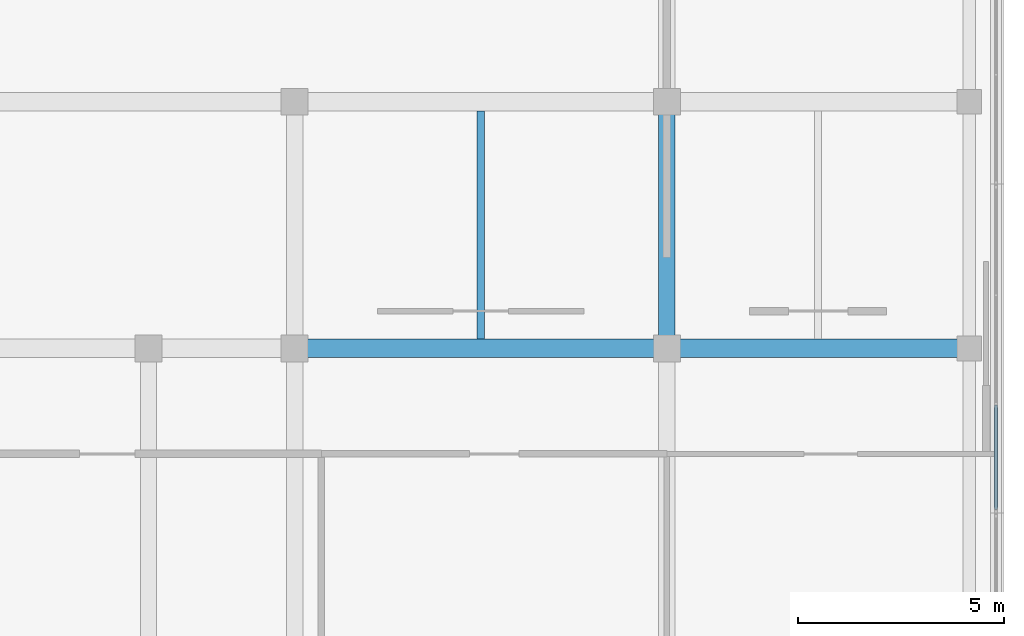
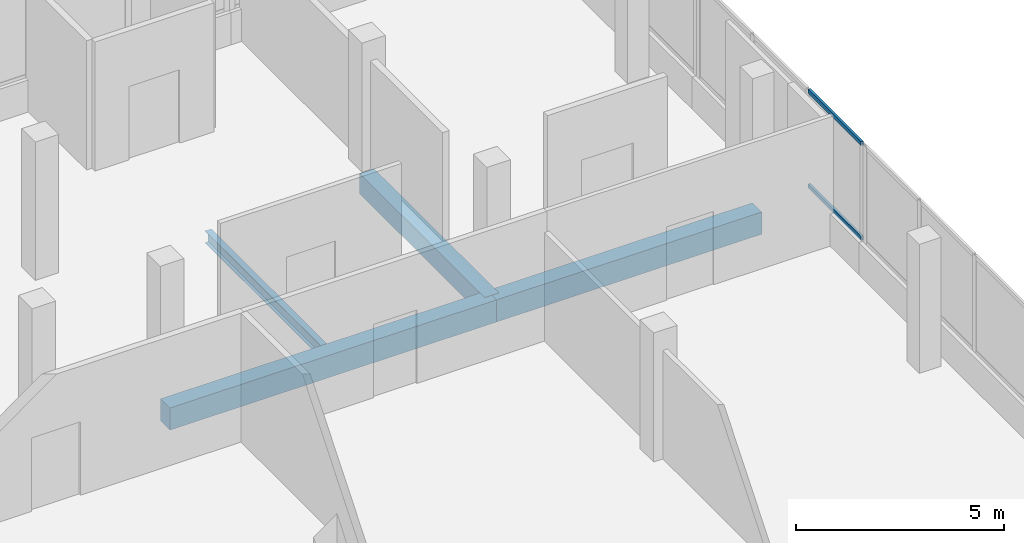
# One storey, part 55 of 76: 4 beams, 2 members, 1 element without a shape of its own.
"""IFC4 building model written with IfcOpenShell, lengths in metres."""

from ifc_helpers import new_model, si_unit, direction, frame, origin, origin_2d, place, context, subcontext, project, spatial, rectangle, hollow_rectangle, i_section, extrude, material, material_profile, profile_set, type_object, element, aggregate, save


model = new_model("IFC4")

# Units and contexts
model_context = context("Model", 3, precision=1e-05, world=origin(), true_north=direction((0.0, 1.0)))
body_context = subcontext(model_context, "Body", "Model", "MODEL_VIEW")
ifc_project = project(units=[si_unit("LENGTHUNIT", "METRE"), si_unit("AREAUNIT", "SQUARE_METRE"), si_unit("VOLUMEUNIT", "CUBIC_METRE"), si_unit("PLANEANGLEUNIT", "RADIAN"), si_unit("MASSUNIT", "GRAM", prefix="KILO")], contexts=[model_context])

# Site, building, storey
site_placement = place(None, origin())
site = spatial("IfcSite", under=ifc_project, at=site_placement, CompositionType="ELEMENT")
building_placement = place(site_placement, origin())
building = spatial("IfcBuilding", under=site, at=building_placement, Name="Selatvlak General Hospital", CompositionType="ELEMENT")
storey_placement = place(building_placement, frame((0.0, 0.0, 27.300048828125)))
storey = spatial("IfcBuildingStorey", under=building, at=storey_placement, Name="L06", CompositionType="ELEMENT", Elevation=27.300048828125)

# Beams
ifc_material_1 = material(Name="Concrete C40/50", Category="concrete")
ifc_material_profile_1 = material_profile(ifc_material_1, rectangle(XDim=0.449951171875, YDim=0.64990234375, at=origin_2d()), Name="RC-BM 450x650")
ifc_profile_set_1 = profile_set([ifc_material_profile_1], Name="Concrete C40/50")
beam_type_1 = type_object("IfcBeamType", Name="BM-G04", PredefinedType="BEAM", material=ifc_profile_set_1)
beam_1_placement = place(storey_placement, frame((164.949951171875, 108.0, -0.60009765625), z_axis=(1.0, 0.0, 0.0), x_axis=(0.0, 1.0, 0.0)))
element("IfcBeam", 1, at=beam_1_placement, inside=storey, type_object=beam_type_1, Name="Beam BMR-L06-2216", PredefinedType="BEAM", context=body_context, shape_type="SweptSolid", body=[
    extrude(rectangle(XDim=0.449951171875, YDim=0.64990234375, at=origin_2d()), origin(), (0.0, 0.0, 1.0), 9.050048828125),
])
beam_2_placement = place(storey_placement, frame((174.0, 108.0, -0.60009765625), z_axis=(1.0, 0.0, 0.0), x_axis=(0.0, 1.0, 0.0)))
element("IfcBeam", 2, at=beam_2_placement, inside=storey, type_object=beam_type_1, Name="Beam BMR-L06-2217", PredefinedType="BEAM", context=body_context, shape_type="SweptSolid", body=[
    extrude(rectangle(XDim=0.449951171875, YDim=0.64990234375, at=origin_2d()), origin(), (0.0, 0.0, 1.0), 7.35009765625),
])
ifc_material_profile_2 = material_profile(ifc_material_1, rectangle(XDim=0.39990234375, YDim=0.60009765625, at=origin_2d()), Name="RC-BM 400x600")
ifc_profile_set_2 = profile_set([ifc_material_profile_2], Name="Concrete C40/50")
beam_type_2 = type_object("IfcBeamType", Name="BM-G05", PredefinedType="BEAM", material=ifc_profile_set_2)
beam_3_placement = place(storey_placement, frame((174.0, 108.0, -0.574951171875), z_axis=(0.0, 1.0, 0.0), x_axis=(-1.0, 0.0, 0.0)))
element("IfcBeam", 3, at=beam_3_placement, inside=storey, type_object=beam_type_2, Name="Beam BMR-L06-2342", PredefinedType="BEAM", context=body_context, shape_type="SweptSolid", body=[
    extrude(rectangle(XDim=0.39990234375, YDim=0.60009765625, at=origin_2d()), origin(), (0.0, 0.0, 1.0), 6.0),
])
ifc_material_2 = material(Name="Steel S355", Category="steel")
ifc_material_profile_3 = material_profile(ifc_material_2, i_section(OverallWidth=0.17138671875, OverallDepth=0.35498046875, WebThickness=0.00732421875, FlangeThickness=0.011474609375, at=origin_2d()), Name="UB 356x171x51")
ifc_profile_set_3 = profile_set([ifc_material_profile_3], Name="Steel S355")
beam_type_3 = type_object("IfcBeamType", Name="BM-J05", PredefinedType="JOIST", material=ifc_profile_set_3)
beam_4_placement = place(storey_placement, frame((169.47509765625, 108.22509765625, -0.4521484375), z_axis=(0.0, 1.0, 0.0), x_axis=(-1.0, 0.0, 0.0)))
element("IfcBeam", 4, at=beam_4_placement, inside=storey, type_object=beam_type_3, Name="Beam BMR-L06-2362", PredefinedType="JOIST", context=body_context, shape_type="SweptSolid", body=[
    extrude(i_section(OverallWidth=0.17138671875, OverallDepth=0.35498046875, WebThickness=0.00732421875, FlangeThickness=0.011474609375, at=origin_2d()), origin(), (0.0, 0.0, 1.0), 5.5498046875),
])

# Curtain wall, members
ifc_material_3 = material(Name="Solar-control Low-E double glazing", Category="glass")
curtain_wall_type = type_object("IfcCurtainWallType", Name="CW-CW-01", PredefinedType="USERDEFINED", material=ifc_material_3)
curtain_wall_placement = place(storey_placement, origin())
curtain_wall = element("IfcCurtainWall", 5, at=curtain_wall_placement, inside=storey, type_object=curtain_wall_type, Name="Glazed facade curtain wall CW-L06-0618", ObjectType="UNITISED CURTAIN WALL", PredefinedType="USERDEFINED")
ifc_material_4 = material(Name="Dark anodised aluminium mullion", Category="aluminium")
ifc_material_profile_4 = material_profile(ifc_material_4, hollow_rectangle(XDim=0.06494140625, YDim=0.1201171875, WallThickness=0.00390625, at=origin_2d()), Name="AL-TRN 65x120x4")
ifc_profile_set_4 = profile_set([ifc_material_profile_4], Name="Dark anodised aluminium mullion")
member_type = type_object("IfcMemberType", Name="CWT-01", PredefinedType="USERDEFINED", material=ifc_profile_set_4)
member_1_placement = place(storey_placement, frame((181.999755859375, 106.623046875, 0.972412109375), z_axis=(9.6043027e-05, -0.999999995388, 0.0), x_axis=(0.999999995388, 9.6043027e-05, 0.0)))
member_1 = element("IfcMember", 6, at=member_1_placement, type_object=member_type, Name="CW-01 transom 3.1", ObjectType="TRANSOM", PredefinedType="USERDEFINED", context=body_context, shape_type="SweptSolid", body=[
    extrude(hollow_rectangle(XDim=0.06494140625, YDim=0.1201171875, WallThickness=0.00390625, at=origin_2d()), origin(), (0.0, 0.0, 1.0), 2.5419921875),
])
member_2_placement = place(storey_placement, frame((181.999755859375, 106.623046875, 3.74755859375), z_axis=(9.6043027e-05, -0.999999995388, 0.0), x_axis=(0.999999995388, 9.6043027e-05, 0.0)))
member_2 = element("IfcMember", 7, at=member_2_placement, type_object=member_type, Name="CW-01 transom 3.2", ObjectType="TRANSOM", PredefinedType="USERDEFINED", context=body_context, shape_type="SweptSolid", body=[
    extrude(hollow_rectangle(XDim=0.06494140625, YDim=0.1201171875, WallThickness=0.00390625, at=origin_2d()), origin(), (0.0, 0.0, 1.0), 2.5419921875),
])
aggregate(curtain_wall, [member_1, member_2])

save(model, "model.ifc")
